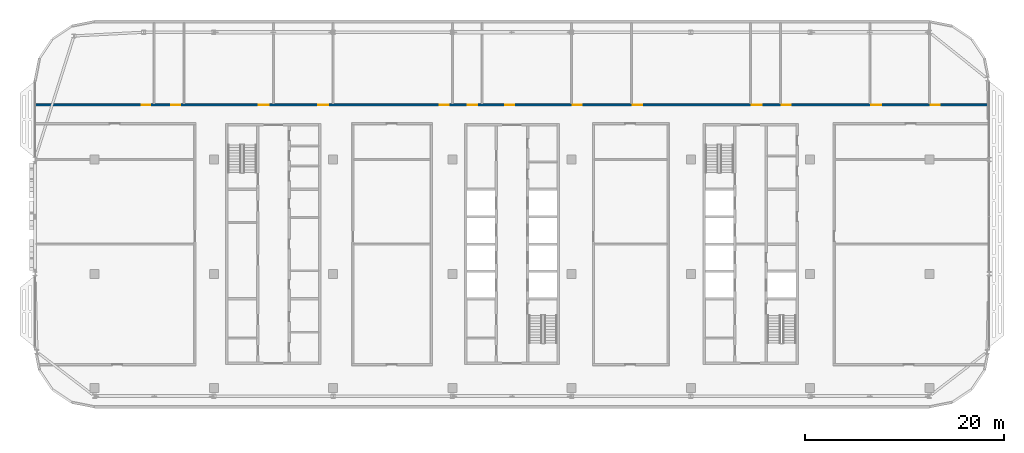
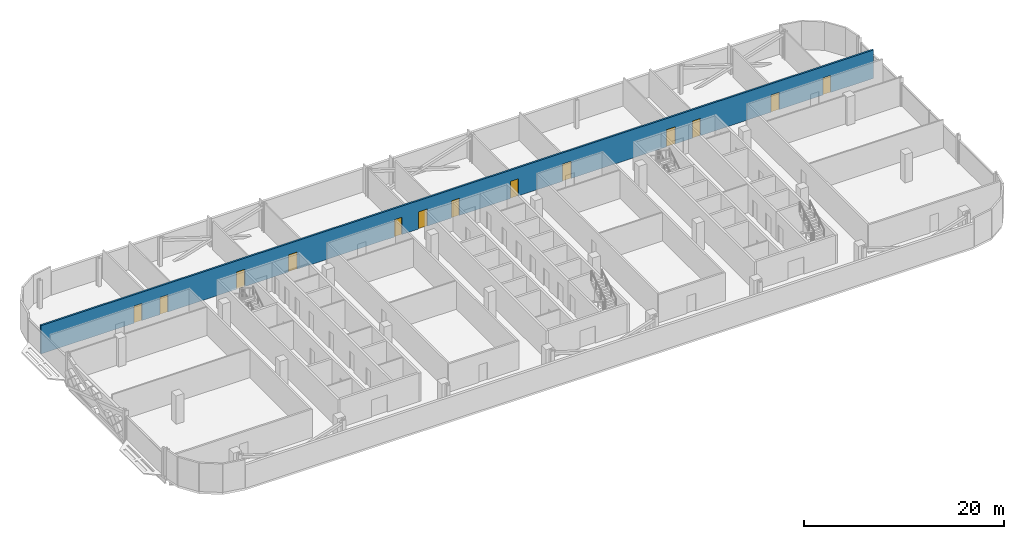
# One storey, part 16 of 28: 13 doors, 1 wall, 13 openings.
"""IFC4 building model written with IfcOpenShell, lengths in metres."""

from ifc_helpers import new_model, si_unit, direction, frame, frame_2d, origin, place, context, subcontext, project, spatial, rectangle, extrude, material, layer, layer_set, type_object, element, fill, save


model = new_model("IFC4")

# Units and contexts
model_context = context("Model", 3, precision=1e-05, world=origin(), true_north=direction((0.0, 1.0)))
body_context = subcontext(model_context, "Body", "Model", "MODEL_VIEW")
ifc_project = project(units=[si_unit("LENGTHUNIT", "METRE"), si_unit("AREAUNIT", "SQUARE_METRE"), si_unit("VOLUMEUNIT", "CUBIC_METRE"), si_unit("PLANEANGLEUNIT", "RADIAN"), si_unit("MASSUNIT", "GRAM", prefix="KILO")], contexts=[model_context])

# Site, building, storey
site_placement = place(None, origin())
site = spatial("IfcSite", under=ifc_project, at=site_placement, CompositionType="ELEMENT")
building_placement = place(site_placement, origin())
building = spatial("IfcBuilding", under=site, at=building_placement, Name="Mahtab Terrace Research Tower", CompositionType="ELEMENT")
storey_placement = place(building_placement, frame((0.0, 0.0, 270.89990234375)))
storey = spatial("IfcBuildingStorey", under=building, at=storey_placement, Name="L66", CompositionType="ELEMENT", Elevation=270.89990234375)

# Wall, openings, doors
ifc_material_1 = material(Name="Gypsum board corridor wall on steel studs", Category="steel")
ifc_layer = layer(ifc_material_1, 0.199951171875)
ifc_layer_set = layer_set([ifc_layer], Name="WALL CORRIDOR 200")
wall_type = type_object("IfcWallType", Name="WALL CORRIDOR 200", PredefinedType="PARTITIONING", material=ifc_layer_set)
wall_placement = place(storey_placement, frame((-47.97509765625, 17.0, 0.0), z_axis=(0.0, 0.0, 1.0), x_axis=(1.0, 0.0, 0.0)))
wall = element("IfcWall", 1, at=wall_placement, inside=storey, type_object=wall_type, Name="L66-W019", PredefinedType="PARTITIONING", context=body_context, shape_type="SweptSolid", body=[
    extrude(rectangle(XDim=95.9501953125, YDim=0.199951171875, at=frame_2d((47.97509765625, 0.0))), origin(), (0.0, 0.0, 1.0), 3.460205078125),
])
opening_1_placement = place(wall_placement, frame((10.699951171875, 0.0, 0.0)))
opening_1 = element("IfcOpeningElement", 2, at=opening_1_placement, cuts=wall, Name="Opening L66-113", PredefinedType="OPENING", context=body_context, shape_type="SweptSolid", body=[
    extrude(rectangle(XDim=0.89990234375, YDim=2.10009765625, at=frame_2d((0.449951171875, 1.050048828125))), frame((0.0, 0.10986328125, 0.0), z_axis=(0.0, -1.0, 0.0), x_axis=(1.0, 0.0, 0.0)), (0.0, 0.0, 1.0), 0.219970703125),
])
opening_2_placement = place(wall_placement, frame((13.699951171875, 0.0, 0.0)))
opening_2 = element("IfcOpeningElement", 3, at=opening_2_placement, cuts=wall, Name="Opening L66-114", PredefinedType="OPENING", context=body_context, shape_type="SweptSolid", body=[
    extrude(rectangle(XDim=0.89990234375, YDim=2.10009765625, at=frame_2d((0.449951171875, 1.050048828125))), frame((0.0, 0.10986328125, 0.0), z_axis=(0.0, -1.0, 0.0), x_axis=(1.0, 0.0, 0.0)), (0.0, 0.0, 1.0), 0.219970703125),
])
opening_3_placement = place(wall_placement, frame((22.5, 0.0, 0.0)))
opening_3 = element("IfcOpeningElement", 4, at=opening_3_placement, cuts=wall, Name="Opening L66-115", PredefinedType="OPENING", context=body_context, shape_type="SweptSolid", body=[
    extrude(rectangle(XDim=1.0, YDim=2.10009765625, at=frame_2d((0.5, 1.050048828125))), frame((0.0, 0.10986328125, 0.0), z_axis=(0.0, -1.0, 0.0), x_axis=(1.0, 0.0, 0.0)), (0.0, 0.0, 1.0), 0.219970703125),
])
opening_4_placement = place(wall_placement, frame((28.5, 0.0, 0.0)))
opening_4 = element("IfcOpeningElement", 5, at=opening_4_placement, cuts=wall, Name="Opening L66-116", PredefinedType="OPENING", context=body_context, shape_type="SweptSolid", body=[
    extrude(rectangle(XDim=1.0, YDim=2.10009765625, at=frame_2d((0.5, 1.050048828125))), frame((0.0, 0.10986328125, 0.0), z_axis=(0.0, -1.0, 0.0), x_axis=(1.0, 0.0, 0.0)), (0.0, 0.0, 1.0), 0.219970703125),
])
opening_5_placement = place(wall_placement, frame((40.699951171875, 0.0, 0.0)))
opening_5 = element("IfcOpeningElement", 6, at=opening_5_placement, cuts=wall, Name="Opening L66-117", PredefinedType="OPENING", context=body_context, shape_type="SweptSolid", body=[
    extrude(rectangle(XDim=0.89990234375, YDim=2.10009765625, at=frame_2d((0.449951171875, 1.050048828125))), frame((0.0, 0.10986328125, 0.0), z_axis=(0.0, -1.0, 0.0), x_axis=(1.0, 0.0, 0.0)), (0.0, 0.0, 1.0), 0.219970703125),
])
opening_6_placement = place(wall_placement, frame((43.5, 0.0, 0.0)))
opening_6 = element("IfcOpeningElement", 7, at=opening_6_placement, cuts=wall, Name="Opening L66-118", PredefinedType="OPENING", context=body_context, shape_type="SweptSolid", body=[
    extrude(rectangle(XDim=1.0, YDim=2.10009765625, at=frame_2d((0.5, 1.050048828125))), frame((0.0, 0.10986328125, 0.0), z_axis=(0.0, -1.0, 0.0), x_axis=(1.0, 0.0, 0.0)), (0.0, 0.0, 1.0), 0.219970703125),
])
opening_7_placement = place(wall_placement, frame((47.300048828125, 0.0, 0.0)))
opening_7 = element("IfcOpeningElement", 8, at=opening_7_placement, cuts=wall, Name="Opening L66-119", PredefinedType="OPENING", context=body_context, shape_type="SweptSolid", body=[
    extrude(rectangle(XDim=0.89990234375, YDim=2.10009765625, at=frame_2d((0.449951171875, 1.050048828125))), frame((0.0, 0.10986328125, 0.0), z_axis=(0.0, -1.0, 0.0), x_axis=(1.0, 0.0, 0.0)), (0.0, 0.0, 1.0), 0.219970703125),
])
opening_8_placement = place(wall_placement, frame((54.10009765625, 0.0, 0.0)))
opening_8 = element("IfcOpeningElement", 9, at=opening_8_placement, cuts=wall, Name="Opening L66-120", PredefinedType="OPENING", context=body_context, shape_type="SweptSolid", body=[
    extrude(rectangle(XDim=0.89990234375, YDim=2.10009765625, at=frame_2d((0.449951171875, 1.050048828125))), frame((0.0, 0.10986328125, 0.0), z_axis=(0.0, -1.0, 0.0), x_axis=(1.0, 0.0, 0.0)), (0.0, 0.0, 1.0), 0.219970703125),
])
opening_9_placement = place(wall_placement, frame((60.10009765625, 0.0, 0.0)))
opening_9 = element("IfcOpeningElement", 10, at=opening_9_placement, cuts=wall, Name="Opening L66-121", PredefinedType="OPENING", context=body_context, shape_type="SweptSolid", body=[
    extrude(rectangle(XDim=1.0, YDim=2.10009765625, at=frame_2d((0.5, 1.050048828125))), frame((0.0, 0.10986328125, 0.0), z_axis=(0.0, -1.0, 0.0), x_axis=(1.0, 0.0, 0.0)), (0.0, 0.0, 1.0), 0.219970703125),
])
opening_10_placement = place(wall_placement, frame((72.10009765625, 0.0, 0.0)))
opening_10 = element("IfcOpeningElement", 11, at=opening_10_placement, cuts=wall, Name="Opening L66-122", PredefinedType="OPENING", context=body_context, shape_type="SweptSolid", body=[
    extrude(rectangle(XDim=1.0, YDim=2.10009765625, at=frame_2d((0.5, 1.050048828125))), frame((0.0, 0.10986328125, 0.0), z_axis=(0.0, -1.0, 0.0), x_axis=(1.0, 0.0, 0.0)), (0.0, 0.0, 1.0), 0.219970703125),
])
opening_11_placement = place(wall_placement, frame((75.10009765625, 0.0, 0.0)))
opening_11 = element("IfcOpeningElement", 12, at=opening_11_placement, cuts=wall, Name="Opening L66-123", PredefinedType="OPENING", context=body_context, shape_type="SweptSolid", body=[
    extrude(rectangle(XDim=0.89990234375, YDim=2.10009765625, at=frame_2d((0.449951171875, 1.050048828125))), frame((0.0, 0.10986328125, 0.0), z_axis=(0.0, -1.0, 0.0), x_axis=(1.0, 0.0, 0.0)), (0.0, 0.0, 1.0), 0.219970703125),
])
opening_12_placement = place(wall_placement, frame((84.10009765625, 0.0, 0.0)))
opening_12 = element("IfcOpeningElement", 13, at=opening_12_placement, cuts=wall, Name="Opening L66-124", PredefinedType="OPENING", context=body_context, shape_type="SweptSolid", body=[
    extrude(rectangle(XDim=1.0, YDim=2.10009765625, at=frame_2d((0.5, 1.050048828125))), frame((0.0, 0.10986328125, 0.0), z_axis=(0.0, -1.0, 0.0), x_axis=(1.0, 0.0, 0.0)), (0.0, 0.0, 1.0), 0.219970703125),
])
opening_13_placement = place(wall_placement, frame((90.10009765625, 0.0, 0.0)))
opening_13 = element("IfcOpeningElement", 14, at=opening_13_placement, cuts=wall, Name="Opening L66-125", PredefinedType="OPENING", context=body_context, shape_type="SweptSolid", body=[
    extrude(rectangle(XDim=0.89990234375, YDim=2.10009765625, at=frame_2d((0.449951171875, 1.050048828125))), frame((0.0, 0.10986328125, 0.0), z_axis=(0.0, -1.0, 0.0), x_axis=(1.0, 0.0, 0.0)), (0.0, 0.0, 1.0), 0.219970703125),
])
ifc_material_2 = material(Name="Timber door leaf in steel frame", Category="steel")
door_type_1 = type_object("IfcDoorType", Name="DOOR 0900X2100 FD30S", OperationType="SINGLE_SWING_LEFT", PredefinedType="DOOR", material=ifc_material_2)
door_1_placement = place(opening_1_placement, origin())
door_1 = element("IfcDoor", 15, at=door_1_placement, inside=storey, type_object=door_type_1, Name="Door L66-113", OperationType="SINGLE_SWING_LEFT", OverallHeight=2.10009765625, OverallWidth=0.89990234375, PredefinedType="DOOR", context=body_context, shape_type="SweptSolid", body=[
    extrude(rectangle(XDim=0.89990234375, YDim=2.10009765625, at=frame_2d((0.449951171875, 1.050048828125))), frame((0.0, 0.02490234375, 0.0), z_axis=(0.0, -1.0, 0.0), x_axis=(1.0, 0.0, 0.0)), (0.0, 0.0, 1.0), 0.050048828125),
])
fill(opening_1, door_1)
door_2_placement = place(opening_2_placement, origin())
door_2 = element("IfcDoor", 16, at=door_2_placement, inside=storey, type_object=door_type_1, Name="Door L66-114", OperationType="SINGLE_SWING_LEFT", OverallHeight=2.10009765625, OverallWidth=0.89990234375, PredefinedType="DOOR", context=body_context, shape_type="SweptSolid", body=[
    extrude(rectangle(XDim=0.89990234375, YDim=2.10009765625, at=frame_2d((0.449951171875, 1.050048828125))), frame((0.0, 0.02490234375, 0.0), z_axis=(0.0, -1.0, 0.0), x_axis=(1.0, 0.0, 0.0)), (0.0, 0.0, 1.0), 0.050048828125),
])
fill(opening_2, door_2)
door_3_placement = place(opening_5_placement, origin())
door_3 = element("IfcDoor", 17, at=door_3_placement, inside=storey, type_object=door_type_1, Name="Door L66-117", OperationType="SINGLE_SWING_LEFT", OverallHeight=2.10009765625, OverallWidth=0.89990234375, PredefinedType="DOOR", context=body_context, shape_type="SweptSolid", body=[
    extrude(rectangle(XDim=0.89990234375, YDim=2.10009765625, at=frame_2d((0.449951171875, 1.050048828125))), frame((0.0, 0.02490234375, 0.0), z_axis=(0.0, -1.0, 0.0), x_axis=(1.0, 0.0, 0.0)), (0.0, 0.0, 1.0), 0.050048828125),
])
fill(opening_5, door_3)
door_4_placement = place(opening_7_placement, origin())
door_4 = element("IfcDoor", 18, at=door_4_placement, inside=storey, type_object=door_type_1, Name="Door L66-119", OperationType="SINGLE_SWING_LEFT", OverallHeight=2.10009765625, OverallWidth=0.89990234375, PredefinedType="DOOR", context=body_context, shape_type="SweptSolid", body=[
    extrude(rectangle(XDim=0.89990234375, YDim=2.10009765625, at=frame_2d((0.449951171875, 1.050048828125))), frame((0.0, 0.02490234375, 0.0), z_axis=(0.0, -1.0, 0.0), x_axis=(1.0, 0.0, 0.0)), (0.0, 0.0, 1.0), 0.050048828125),
])
fill(opening_7, door_4)
door_5_placement = place(opening_8_placement, origin())
door_5 = element("IfcDoor", 19, at=door_5_placement, inside=storey, type_object=door_type_1, Name="Door L66-120", OperationType="SINGLE_SWING_RIGHT", OverallHeight=2.10009765625, OverallWidth=0.89990234375, PredefinedType="DOOR", context=body_context, shape_type="SweptSolid", body=[
    extrude(rectangle(XDim=0.89990234375, YDim=2.10009765625, at=frame_2d((0.449951171875, 1.050048828125))), frame((0.0, 0.02490234375, 0.0), z_axis=(0.0, -1.0, 0.0), x_axis=(1.0, 0.0, 0.0)), (0.0, 0.0, 1.0), 0.050048828125),
])
fill(opening_8, door_5)
door_6_placement = place(opening_11_placement, origin())
door_6 = element("IfcDoor", 20, at=door_6_placement, inside=storey, type_object=door_type_1, Name="Door L66-123", OperationType="SINGLE_SWING_RIGHT", OverallHeight=2.10009765625, OverallWidth=0.89990234375, PredefinedType="DOOR", context=body_context, shape_type="SweptSolid", body=[
    extrude(rectangle(XDim=0.89990234375, YDim=2.10009765625, at=frame_2d((0.449951171875, 1.050048828125))), frame((0.0, 0.02490234375, 0.0), z_axis=(0.0, -1.0, 0.0), x_axis=(1.0, 0.0, 0.0)), (0.0, 0.0, 1.0), 0.050048828125),
])
fill(opening_11, door_6)
door_7_placement = place(opening_13_placement, origin())
door_7 = element("IfcDoor", 21, at=door_7_placement, inside=storey, type_object=door_type_1, Name="Door L66-125", OperationType="SINGLE_SWING_RIGHT", OverallHeight=2.10009765625, OverallWidth=0.89990234375, PredefinedType="DOOR", context=body_context, shape_type="SweptSolid", body=[
    extrude(rectangle(XDim=0.89990234375, YDim=2.10009765625, at=frame_2d((0.449951171875, 1.050048828125))), frame((0.0, 0.02490234375, 0.0), z_axis=(0.0, -1.0, 0.0), x_axis=(1.0, 0.0, 0.0)), (0.0, 0.0, 1.0), 0.050048828125),
])
fill(opening_13, door_7)
door_type_2 = type_object("IfcDoorType", Name="DOOR 1000X2100 FD30S", OperationType="SINGLE_SWING_LEFT", PredefinedType="DOOR", material=ifc_material_2)
door_8_placement = place(opening_3_placement, origin())
door_8 = element("IfcDoor", 22, at=door_8_placement, inside=storey, type_object=door_type_2, Name="Door L66-115", OperationType="SINGLE_SWING_LEFT", OverallHeight=2.10009765625, OverallWidth=1.0, PredefinedType="DOOR", context=body_context, shape_type="SweptSolid", body=[
    extrude(rectangle(XDim=1.0, YDim=2.10009765625, at=frame_2d((0.5, 1.050048828125))), frame((0.0, 0.02490234375, 0.0), z_axis=(0.0, -1.0, 0.0), x_axis=(1.0, 0.0, 0.0)), (0.0, 0.0, 1.0), 0.050048828125),
])
fill(opening_3, door_8)
door_9_placement = place(opening_4_placement, origin())
door_9 = element("IfcDoor", 23, at=door_9_placement, inside=storey, type_object=door_type_2, Name="Door L66-116", OperationType="SINGLE_SWING_LEFT", OverallHeight=2.10009765625, OverallWidth=1.0, PredefinedType="DOOR", context=body_context, shape_type="SweptSolid", body=[
    extrude(rectangle(XDim=1.0, YDim=2.10009765625, at=frame_2d((0.5, 1.050048828125))), frame((0.0, 0.02490234375, 0.0), z_axis=(0.0, -1.0, 0.0), x_axis=(1.0, 0.0, 0.0)), (0.0, 0.0, 1.0), 0.050048828125),
])
fill(opening_4, door_9)
door_10_placement = place(opening_6_placement, origin())
door_10 = element("IfcDoor", 24, at=door_10_placement, inside=storey, type_object=door_type_2, Name="Door L66-118", OperationType="SINGLE_SWING_LEFT", OverallHeight=2.10009765625, OverallWidth=1.0, PredefinedType="DOOR", context=body_context, shape_type="SweptSolid", body=[
    extrude(rectangle(XDim=1.0, YDim=2.10009765625, at=frame_2d((0.5, 1.050048828125))), frame((0.0, 0.02490234375, 0.0), z_axis=(0.0, -1.0, 0.0), x_axis=(1.0, 0.0, 0.0)), (0.0, 0.0, 1.0), 0.050048828125),
])
fill(opening_6, door_10)
door_11_placement = place(opening_9_placement, origin())
door_11 = element("IfcDoor", 25, at=door_11_placement, inside=storey, type_object=door_type_2, Name="Door L66-121", OperationType="SINGLE_SWING_RIGHT", OverallHeight=2.10009765625, OverallWidth=1.0, PredefinedType="DOOR", context=body_context, shape_type="SweptSolid", body=[
    extrude(rectangle(XDim=1.0, YDim=2.10009765625, at=frame_2d((0.5, 1.050048828125))), frame((0.0, 0.02490234375, 0.0), z_axis=(0.0, -1.0, 0.0), x_axis=(1.0, 0.0, 0.0)), (0.0, 0.0, 1.0), 0.050048828125),
])
fill(opening_9, door_11)
door_12_placement = place(opening_10_placement, origin())
door_12 = element("IfcDoor", 26, at=door_12_placement, inside=storey, type_object=door_type_2, Name="Door L66-122", OperationType="SINGLE_SWING_RIGHT", OverallHeight=2.10009765625, OverallWidth=1.0, PredefinedType="DOOR", context=body_context, shape_type="SweptSolid", body=[
    extrude(rectangle(XDim=1.0, YDim=2.10009765625, at=frame_2d((0.5, 1.050048828125))), frame((0.0, 0.02490234375, 0.0), z_axis=(0.0, -1.0, 0.0), x_axis=(1.0, 0.0, 0.0)), (0.0, 0.0, 1.0), 0.050048828125),
])
fill(opening_10, door_12)
door_13_placement = place(opening_12_placement, origin())
door_13 = element("IfcDoor", 27, at=door_13_placement, inside=storey, type_object=door_type_2, Name="Door L66-124", OperationType="SINGLE_SWING_RIGHT", OverallHeight=2.10009765625, OverallWidth=1.0, PredefinedType="DOOR", context=body_context, shape_type="SweptSolid", body=[
    extrude(rectangle(XDim=1.0, YDim=2.10009765625, at=frame_2d((0.5, 1.050048828125))), frame((0.0, 0.02490234375, 0.0), z_axis=(0.0, -1.0, 0.0), x_axis=(1.0, 0.0, 0.0)), (0.0, 0.0, 1.0), 0.050048828125),
])
fill(opening_12, door_13)

save(model, "model.ifc")
